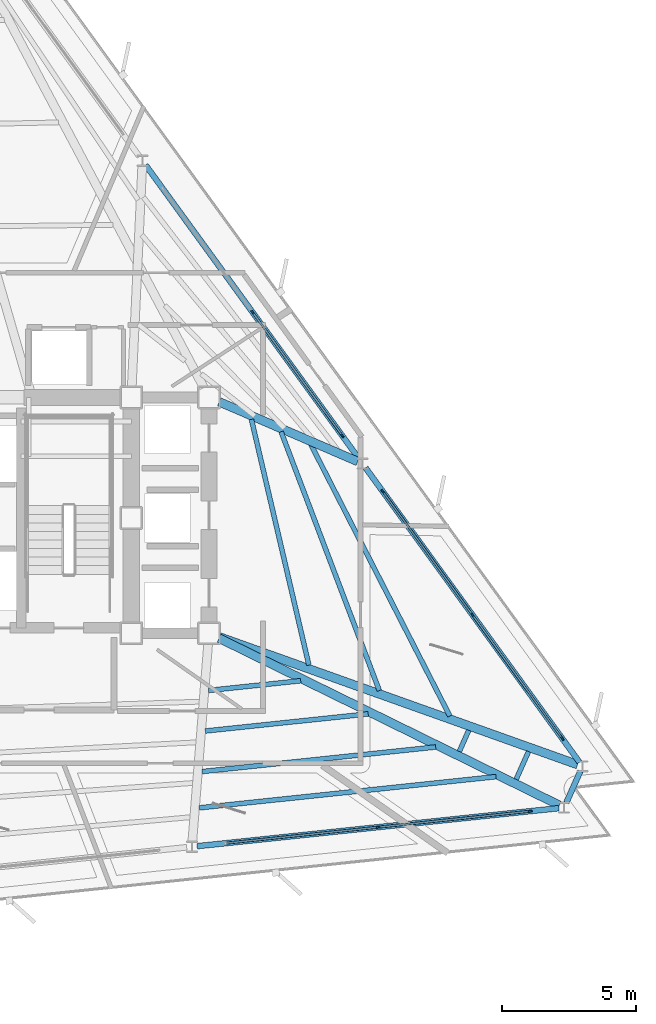
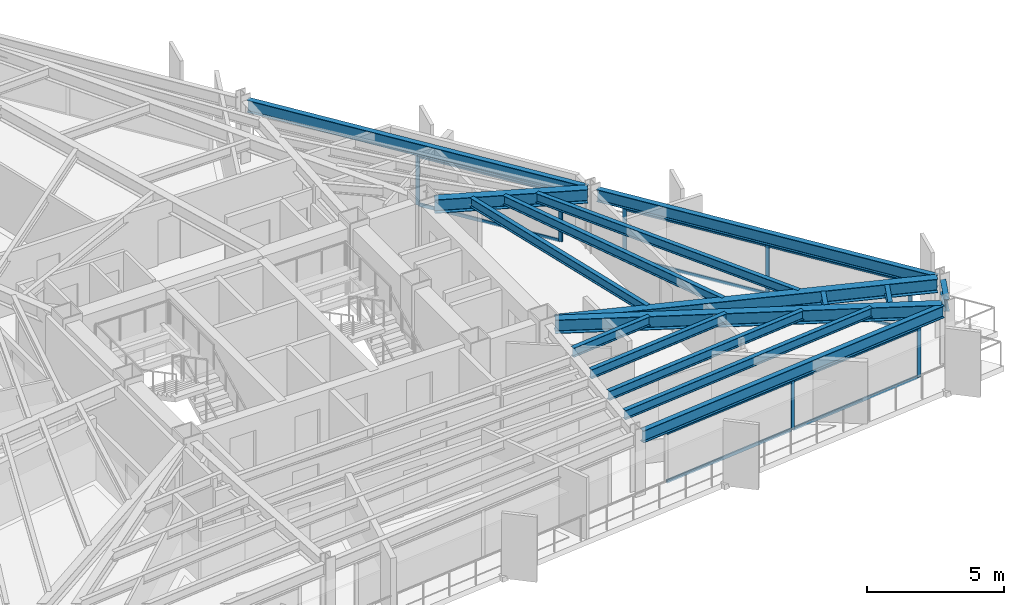
# One storey, part 5 of 12: 17 members, 16 beams, 3 elements without a shape of their own.
"""IFC4 building model written with IfcOpenShell, lengths in metres."""

from ifc_helpers import new_model, si_unit, direction, frame, origin, origin_2d, place, context, subcontext, project, spatial, rectangle, i_section, extrude, material, layer, layer_set, material_profile, profile_set, type_object, element, aggregate, save


model = new_model("IFC4")

# Units and contexts
model_context = context("Model", 3, precision=1e-05, world=origin(), true_north=direction((0.0, 1.0)))
body_context = subcontext(model_context, "Body", "Model", "MODEL_VIEW")
ifc_project = project(units=[si_unit("LENGTHUNIT", "METRE"), si_unit("AREAUNIT", "SQUARE_METRE"), si_unit("VOLUMEUNIT", "CUBIC_METRE"), si_unit("PLANEANGLEUNIT", "RADIAN"), si_unit("MASSUNIT", "GRAM", prefix="KILO")], contexts=[model_context])

# Site, building, storey
site_placement = place(None, origin())
site = spatial("IfcSite", under=ifc_project, at=site_placement, CompositionType="ELEMENT")
building_placement = place(site_placement, origin())
building = spatial("IfcBuilding", under=site, at=building_placement, Name="Rocaltana Carrier Exchange", CompositionType="ELEMENT")
storey_placement = place(building_placement, frame((0.0, 0.0, 116.800048828125)))
storey = spatial("IfcBuildingStorey", under=building, at=storey_placement, Name="L36", CompositionType="ELEMENT", Elevation=116.800048828125)

# Curtain wall, members
ifc_material_1 = material(Name="Aluminium 6063-T6", Category="aluminium")
ifc_layer = layer(ifc_material_1, 0.14990234375)
ifc_layer_set = layer_set([ifc_layer], Name="Aluminium 6063-T6")
curtain_wall_type = type_object("IfcCurtainWallType", Name="Mid-Tower Unitised Curtain Wall CW-03", PredefinedType="NOTDEFINED", material=ifc_layer_set)
curtain_wall_1_placement = place(storey_placement, origin())
curtain_wall_1 = element("IfcCurtainWall", 1, at=curtain_wall_1_placement, inside=storey, type_object=curtain_wall_type, Name="L36 CW-03 Run CW-L36-F1S1", PredefinedType="NOTDEFINED")
ifc_material_2 = material(Name="Aluminium 6063-T6", Category="aluminium")
ifc_material_profile_1 = material_profile(ifc_material_2, rectangle(XDim=0.06005859375, YDim=0.14990234375, at=origin_2d()), Name="AL-60X150")
ifc_profile_set_1 = profile_set([ifc_material_profile_1], Name="Aluminium 6063-T6")
member_type_1 = type_object("IfcMemberType", Name="CW-03 Mullion AL-60X150", PredefinedType="MULLION", material=ifc_profile_set_1)
member_1_placement = place(storey_placement, frame((22.13427734375, -8.23193359375, 0.0), z_axis=(0.0, 0.0, 1.0), x_axis=(-0.809013555195, -0.587789985889, 0.0)))
member_1 = element("IfcMember", 2, at=member_1_placement, type_object=member_type_1, Name="CW-03 mullion 1", PredefinedType="MULLION", context=body_context, shape_type="SweptSolid", body=[
    extrude(rectangle(XDim=0.06005859375, YDim=0.14990234375, at=origin_2d()), origin(), (0.0, 0.0, 1.0), 2.218017578125),
])
member_2_placement = place(storey_placement, frame((18.781982421875, -3.617919921875, 0.0), z_axis=(0.0, 0.0, 1.0), x_axis=(-0.809013555195, -0.587789985889, 0.0)))
member_2 = element("IfcMember", 3, at=member_2_placement, type_object=member_type_1, Name="CW-03 mullion 2", PredefinedType="MULLION", context=body_context, shape_type="SweptSolid", body=[
    extrude(rectangle(XDim=0.06005859375, YDim=0.14990234375, at=origin_2d()), origin(), (0.0, 0.0, 1.0), 2.218017578125),
])
member_3_placement = place(storey_placement, frame((15.429443359375, 0.99609375, 0.0), z_axis=(0.0, 0.0, 1.0), x_axis=(-0.809013555195, -0.587789985889, 0.0)))
member_3 = element("IfcMember", 4, at=member_3_placement, type_object=member_type_1, Name="CW-03 mullion 3", PredefinedType="MULLION", context=body_context, shape_type="SweptSolid", body=[
    extrude(rectangle(XDim=0.06005859375, YDim=0.14990234375, at=origin_2d()), origin(), (0.0, 0.0, 1.0), 2.218017578125),
])

curtain_wall_2_placement = place(storey_placement, origin())
curtain_wall_2 = element("IfcCurtainWall", 5, at=curtain_wall_2_placement, inside=storey, type_object=curtain_wall_type, Name="L36 CW-03 Run CW-L36-F1S2", PredefinedType="NOTDEFINED")
member_4_placement = place(storey_placement, frame((13.9248046875, 3.0673828125, 0.0), z_axis=(0.0, 0.0, 1.0), x_axis=(-0.809013555195, -0.587789985889, 0.0)))
member_4 = element("IfcMember", 6, at=member_4_placement, type_object=member_type_1, Name="CW-03 mullion 1", PredefinedType="MULLION", context=body_context, shape_type="SweptSolid", body=[
    extrude(rectangle(XDim=0.06005859375, YDim=0.14990234375, at=origin_2d()), origin(), (0.0, 0.0, 1.0), 2.218017578125),
])
member_5_placement = place(storey_placement, frame((10.572509765625, 7.681396484375, 0.0), z_axis=(0.0, 0.0, 1.0), x_axis=(-0.809013555195, -0.587789985889, 0.0)))
member_5 = element("IfcMember", 7, at=member_5_placement, type_object=member_type_1, Name="CW-03 mullion 2", PredefinedType="MULLION", context=body_context, shape_type="SweptSolid", body=[
    extrude(rectangle(XDim=0.06005859375, YDim=0.14990234375, at=origin_2d()), origin(), (0.0, 0.0, 1.0), 2.218017578125),
])

curtain_wall_3_placement = place(storey_placement, origin())
curtain_wall_3 = element("IfcCurtainWall", 8, at=curtain_wall_3_placement, inside=storey, type_object=curtain_wall_type, Name="L36 CW-03 Run CW-L36-F3S3", PredefinedType="NOTDEFINED")
member_6_placement = place(storey_placement, frame((15.256103515625, -11.536865234375, 0.0), z_axis=(0.0, 0.0, 1.0), x_axis=(-0.104521806959, 0.994522594952, 0.0)))
member_6 = element("IfcMember", 9, at=member_6_placement, type_object=member_type_1, Name="CW-03 mullion 2", PredefinedType="MULLION", context=body_context, shape_type="SweptSolid", body=[
    extrude(rectangle(XDim=0.06005859375, YDim=0.14990234375, at=origin_2d()), origin(), (0.0, 0.0, 1.0), 2.218017578125),
])
member_7_placement = place(storey_placement, frame((20.92822265625, -10.940673828125, 0.0), z_axis=(0.0, 0.0, 1.0), x_axis=(-0.104521806959, 0.994522594952, 0.0)))
member_7 = element("IfcMember", 10, at=member_7_placement, type_object=member_type_1, Name="CW-03 mullion 3", PredefinedType="MULLION", context=body_context, shape_type="SweptSolid", body=[
    extrude(rectangle(XDim=0.06005859375, YDim=0.14990234375, at=origin_2d()), origin(), (0.0, 0.0, 1.0), 2.218017578125),
])

# Member
ifc_material_3 = material(Name="Aluminium 6063-T6", Category="aluminium")
ifc_material_profile_2 = material_profile(ifc_material_3, rectangle(XDim=0.06005859375, YDim=0.14990234375, at=origin_2d()), Name="AL-60X150")
ifc_profile_set_2 = profile_set([ifc_material_profile_2], Name="Aluminium 6063-T6")
member_type_2 = type_object("IfcMemberType", Name="CW-03 Transom AL-60X150", PredefinedType="USERDEFINED", material=ifc_profile_set_2)
member_8_placement = place(storey_placement, frame((22.11669921875, -8.207763671875, 0.030029296875), z_axis=(-0.587803791035, 0.809003524866, 0.0), x_axis=(-0.809003524866, -0.587803791035, 0.0)))
member_8 = element("IfcMember", 11, at=member_8_placement, type_object=member_type_2, Name="CW-03 transom 1.1", ObjectType="TRANSOM", PredefinedType="USERDEFINED", context=body_context, shape_type="SweptSolid", body=[
    extrude(rectangle(XDim=0.06005859375, YDim=0.14990234375, at=origin_2d()), origin(), (0.0, 0.0, 1.0), 5.643310546875),
])

member_9_placement = place(storey_placement, frame((22.11669921875, -8.207763671875, 2.18798828125), z_axis=(-0.587803791035, 0.809003524866, 0.0), x_axis=(-0.809003524866, -0.587803791035, 0.0)))
member_9 = element("IfcMember", 12, at=member_9_placement, type_object=member_type_2, Name="CW-03 transom 1.2", ObjectType="TRANSOM", PredefinedType="USERDEFINED", context=body_context, shape_type="SweptSolid", body=[
    extrude(rectangle(XDim=0.06005859375, YDim=0.14990234375, at=origin_2d()), origin(), (0.0, 0.0, 1.0), 5.643310546875),
])

member_10_placement = place(storey_placement, frame((18.76416015625, -3.59375, 0.030029296875), z_axis=(-0.587754903167, 0.809039043436, 0.0), x_axis=(-0.809039043436, -0.587754903167, 0.0)))
member_10 = element("IfcMember", 13, at=member_10_placement, type_object=member_type_2, Name="CW-03 transom 2.1", ObjectType="TRANSOM", PredefinedType="USERDEFINED", context=body_context, shape_type="SweptSolid", body=[
    extrude(rectangle(XDim=0.06005859375, YDim=0.14990234375, at=origin_2d()), origin(), (0.0, 0.0, 1.0), 5.643310546875),
])

member_11_placement = place(storey_placement, frame((18.76416015625, -3.59375, 2.18798828125), z_axis=(-0.587754903167, 0.809039043436, 0.0), x_axis=(-0.809039043436, -0.587754903167, 0.0)))
member_11 = element("IfcMember", 14, at=member_11_placement, type_object=member_type_2, Name="CW-03 transom 2.2", ObjectType="TRANSOM", PredefinedType="USERDEFINED", context=body_context, shape_type="SweptSolid", body=[
    extrude(rectangle(XDim=0.06005859375, YDim=0.14990234375, at=origin_2d()), origin(), (0.0, 0.0, 1.0), 5.643310546875),
])

aggregate(curtain_wall_1, [member_1, member_2, member_3, member_8, member_9, member_10, member_11])

member_12_placement = place(storey_placement, frame((13.9072265625, 3.091552734375, 0.030029296875), z_axis=(-0.587803791035, 0.809003524866, 0.0), x_axis=(-0.809003524866, -0.587803791035, 0.0)))
member_12 = element("IfcMember", 15, at=member_12_placement, type_object=member_type_2, Name="CW-03 transom 1.1", ObjectType="TRANSOM", PredefinedType="USERDEFINED", context=body_context, shape_type="SweptSolid", body=[
    extrude(rectangle(XDim=0.06005859375, YDim=0.14990234375, at=origin_2d()), origin(), (0.0, 0.0, 1.0), 5.643310546875),
])

member_13_placement = place(storey_placement, frame((13.9072265625, 3.091552734375, 2.18798828125), z_axis=(-0.587803791035, 0.809003524866, 0.0), x_axis=(-0.809003524866, -0.587803791035, 0.0)))
member_13 = element("IfcMember", 16, at=member_13_placement, type_object=member_type_2, Name="CW-03 transom 1.2", ObjectType="TRANSOM", PredefinedType="USERDEFINED", context=body_context, shape_type="SweptSolid", body=[
    extrude(rectangle(XDim=0.06005859375, YDim=0.14990234375, at=origin_2d()), origin(), (0.0, 0.0, 1.0), 5.643310546875),
])

aggregate(curtain_wall_2, [member_4, member_5, member_12, member_13])

member_14_placement = place(storey_placement, frame((9.614013671875, -12.129638671875, 0.030029296875), z_axis=(0.99452250772, 0.104522636969, 0.0), x_axis=(-0.104522636969, 0.99452250772, 0.0)))
member_14 = element("IfcMember", 17, at=member_14_placement, type_object=member_type_2, Name="CW-03 transom 1.1", ObjectType="TRANSOM", PredefinedType="USERDEFINED", context=body_context, shape_type="SweptSolid", body=[
    extrude(rectangle(XDim=0.06005859375, YDim=0.14990234375, at=origin_2d()), origin(), (0.0, 0.0, 1.0), 5.643310546875),
])

member_15_placement = place(storey_placement, frame((9.614013671875, -12.129638671875, 2.18798828125), z_axis=(0.99452250772, 0.104522636969, 0.0), x_axis=(-0.104522636969, 0.99452250772, 0.0)))
member_15 = element("IfcMember", 18, at=member_15_placement, type_object=member_type_2, Name="CW-03 transom 1.2", ObjectType="TRANSOM", PredefinedType="USERDEFINED", context=body_context, shape_type="SweptSolid", body=[
    extrude(rectangle(XDim=0.06005859375, YDim=0.14990234375, at=origin_2d()), origin(), (0.0, 0.0, 1.0), 5.643310546875),
])

member_16_placement = place(storey_placement, frame((15.285888671875, -11.53369140625, 0.030029296875), z_axis=(0.994522980333, 0.104518140001, 0.0), x_axis=(-0.104518140001, 0.994522980333, 0.0)))
member_16 = element("IfcMember", 19, at=member_16_placement, type_object=member_type_2, Name="CW-03 transom 2.1", ObjectType="TRANSOM", PredefinedType="USERDEFINED", context=body_context, shape_type="SweptSolid", body=[
    extrude(rectangle(XDim=0.06005859375, YDim=0.14990234375, at=origin_2d()), origin(), (0.0, 0.0, 1.0), 5.6435546875),
])

member_17_placement = place(storey_placement, frame((15.285888671875, -11.53369140625, 2.18798828125), z_axis=(0.994522980333, 0.104518140001, 0.0), x_axis=(-0.104518140001, 0.994522980333, 0.0)))
member_17 = element("IfcMember", 20, at=member_17_placement, type_object=member_type_2, Name="CW-03 transom 2.2", ObjectType="TRANSOM", PredefinedType="USERDEFINED", context=body_context, shape_type="SweptSolid", body=[
    extrude(rectangle(XDim=0.06005859375, YDim=0.14990234375, at=origin_2d()), origin(), (0.0, 0.0, 1.0), 5.6435546875),
])

aggregate(curtain_wall_3, [member_6, member_7, member_14, member_15, member_16, member_17])

# Beams
ifc_material_4 = material(Name="Steel S355", Category="steel")
ifc_material_profile_3 = material_profile(ifc_material_4, i_section(OverallWidth=0.179931640625, OverallDepth=0.4130859375, WebThickness=0.009765625, FlangeThickness=0.01611328125, FilletRadius=0.012939453125, at=origin_2d()), Name="W16X50")
ifc_profile_set_3 = profile_set([ifc_material_profile_3], Name="Steel S355")
beam_type_1 = type_object("IfcBeamType", Name="Floor Joist W16X50", PredefinedType="JOIST", material=ifc_profile_set_3)
beam_1_placement = place(storey_placement, frame((12.67724609375, -5.489501953125, 2.58154296875), z_axis=(-0.227766297883, 0.973715827924, 0.0), x_axis=(-0.973715827924, -0.227766297883, 0.0)))
element("IfcBeam", 21, at=beam_1_placement, inside=storey, type_object=beam_type_1, Name="FJ-L36-01-1", PredefinedType="JOIST", context=body_context, shape_type="SweptSolid", body=[
    extrude(i_section(OverallWidth=0.179931640625, OverallDepth=0.4130859375, WebThickness=0.009765625, FlangeThickness=0.01611328125, FilletRadius=0.012939453125, at=origin_2d()), origin(), (0.0, 0.0, 1.0), 9.418701171875),
])
beam_2_placement = place(storey_placement, frame((15.305419921875, -6.439208984375, 2.58154296875), z_axis=(-0.35483732757, 0.934928056571, 0.0), x_axis=(-0.934928056571, -0.35483732757, 0.0)))
element("IfcBeam", 22, at=beam_2_placement, inside=storey, type_object=beam_type_1, Name="FJ-L36-01-2", PredefinedType="JOIST", context=body_context, shape_type="SweptSolid", body=[
    extrude(i_section(OverallWidth=0.179931640625, OverallDepth=0.4130859375, WebThickness=0.009765625, FlangeThickness=0.01611328125, FilletRadius=0.012939453125, at=origin_2d()), origin(), (0.0, 0.0, 1.0), 10.330078125),
])
beam_3_placement = place(storey_placement, frame((17.937744140625, -7.39013671875, 2.58154296875), z_axis=(-0.455649490969, 0.890159278657, 0.0), x_axis=(-0.890159278657, -0.455649490969, 0.0)))
element("IfcBeam", 23, at=beam_3_placement, inside=storey, type_object=beam_type_1, Name="FJ-L36-01-3", PredefinedType="JOIST", context=body_context, shape_type="SweptSolid", body=[
    extrude(i_section(OverallWidth=0.179931640625, OverallDepth=0.4130859375, WebThickness=0.009765625, FlangeThickness=0.01611328125, FilletRadius=0.012939453125, at=origin_2d()), origin(), (0.0, 0.0, 1.0), 11.398681640625),
])
beam_4_placement = place(storey_placement, frame((8.9326171875, -6.434814453125, 2.58154296875), z_axis=(0.994514730504, 0.104596609936, 0.0), x_axis=(-0.104596609936, 0.994514730504, 0.0)))
element("IfcBeam", 24, at=beam_4_placement, inside=storey, type_object=beam_type_1, Name="FJ-L36-11-1", PredefinedType="JOIST", context=body_context, shape_type="SweptSolid", body=[
    extrude(i_section(OverallWidth=0.179931640625, OverallDepth=0.4130859375, WebThickness=0.009765625, FlangeThickness=0.01611328125, FilletRadius=0.012939453125, at=origin_2d()), origin(), (0.0, 0.0, 1.0), 3.459228515625),
])
beam_5_placement = place(storey_placement, frame((8.811279296875, -7.948486328125, 2.58154296875), z_axis=(0.994518139026, 0.104564196304, 0.0), x_axis=(-0.104564196304, 0.994518139026, 0.0)))
element("IfcBeam", 25, at=beam_5_placement, inside=storey, type_object=beam_type_1, Name="FJ-L36-11-2", PredefinedType="JOIST", context=body_context, shape_type="SweptSolid", body=[
    extrude(i_section(OverallWidth=0.179931640625, OverallDepth=0.4130859375, WebThickness=0.009765625, FlangeThickness=0.01611328125, FilletRadius=0.012939453125, at=origin_2d()), origin(), (0.0, 0.0, 1.0), 6.112548828125),
])
beam_6_placement = place(storey_placement, frame((8.68994140625, -9.4619140625, 2.58154296875), z_axis=(0.994522683524, 0.104520964191, 0.0), x_axis=(-0.104520964191, 0.994522683524, 0.0)))
element("IfcBeam", 26, at=beam_6_placement, inside=storey, type_object=beam_type_1, Name="FJ-L36-11-3", PredefinedType="JOIST", context=body_context, shape_type="SweptSolid", body=[
    extrude(i_section(OverallWidth=0.179931640625, OverallDepth=0.4130859375, WebThickness=0.009765625, FlangeThickness=0.01611328125, FilletRadius=0.012939453125, at=origin_2d()), origin(), (0.0, 0.0, 1.0), 8.766357421875),
])
beam_7_placement = place(storey_placement, frame((8.581298828125, -10.81640625, 2.58154296875), z_axis=(0.994521531783, 0.104531922494, 0.0), x_axis=(-0.104531922494, 0.994521531783, 0.0)))
element("IfcBeam", 27, at=beam_7_placement, inside=storey, type_object=beam_type_1, Name="FJ-L36-11-4", PredefinedType="JOIST", context=body_context, shape_type="SweptSolid", body=[
    extrude(i_section(OverallWidth=0.179931640625, OverallDepth=0.4130859375, WebThickness=0.009765625, FlangeThickness=0.01611328125, FilletRadius=0.012939453125, at=origin_2d()), origin(), (0.0, 0.0, 1.0), 11.140625),
])
beam_8_placement = place(storey_placement, frame((18.289306640625, -8.71240234375, 2.58154296875), z_axis=(0.406686773762, 0.913567659261, 0.0), x_axis=(-0.913567659261, 0.406686773762, 0.0)))
element("IfcBeam", 28, at=beam_8_placement, inside=storey, type_object=beam_type_1, Name="FJ-L36-12-3", PredefinedType="JOIST", context=body_context, shape_type="SweptSolid", body=[
    extrude(i_section(OverallWidth=0.179931640625, OverallDepth=0.4130859375, WebThickness=0.009765625, FlangeThickness=0.01611328125, FilletRadius=0.012939453125, at=origin_2d()), origin(), (0.0, 0.0, 1.0), 0.867431640625),
])
beam_9_placement = place(storey_placement, frame((20.409423828125, -9.75341796875, 2.58154296875), z_axis=(0.40683553357, 0.913501422344, 0.0), x_axis=(-0.913501422344, 0.40683553357, 0.0)))
element("IfcBeam", 29, at=beam_9_placement, inside=storey, type_object=beam_type_1, Name="FJ-L36-12-4", PredefinedType="JOIST", context=body_context, shape_type="SweptSolid", body=[
    extrude(i_section(OverallWidth=0.179931640625, OverallDepth=0.4130859375, WebThickness=0.009765625, FlangeThickness=0.01611328125, FilletRadius=0.012939453125, at=origin_2d()), origin(), (0.0, 0.0, 1.0), 1.13720703125),
])
ifc_material_5 = material(Name="Steel S355", Category="steel")
ifc_material_profile_4 = material_profile(ifc_material_5, i_section(OverallWidth=0.323974609375, OverallDepth=0.611083984375, WebThickness=0.0126953125, FlangeThickness=0.01904296875, FilletRadius=0.01611328125, at=origin_2d()), Name="W24X104")
ifc_profile_set_4 = profile_set([ifc_material_profile_4], Name="Steel S355")
beam_type_2 = type_object("IfcBeamType", Name="Radial Girder W24X104", PredefinedType="BEAM", material=ifc_profile_set_4)
beam_10_placement = place(storey_placement, frame((9.3427734375, -4.43994140625, 2.482421875), z_axis=(0.941948523593, -0.335757321441, 0.0), x_axis=(0.335757321441, 0.941948523593, 0.0)))
element("IfcBeam", 30, at=beam_10_placement, inside=storey, type_object=beam_type_2, Name="RG-L36-01", PredefinedType="BEAM", context=body_context, shape_type="SweptSolid", body=[
    extrude(i_section(OverallWidth=0.323974609375, OverallDepth=0.611083984375, WebThickness=0.0126953125, FlangeThickness=0.01904296875, FilletRadius=0.01611328125, at=origin_2d()), origin(), (0.0, 0.0, 1.0), 14.18359375),
])
beam_11_placement = place(storey_placement, frame((9.3330078125, 4.3349609375, 2.482421875), z_axis=(0.918339320376, -0.395794002798, 0.0), x_axis=(0.395794002798, 0.918339320376, 0.0)))
element("IfcBeam", 31, at=beam_11_placement, inside=storey, type_object=beam_type_2, Name="RG-L36-02", PredefinedType="BEAM", context=body_context, shape_type="SweptSolid", body=[
    extrude(i_section(OverallWidth=0.323974609375, OverallDepth=0.611083984375, WebThickness=0.0126953125, FlangeThickness=0.01904296875, FilletRadius=0.01611328125, at=origin_2d()), origin(), (0.0, 0.0, 1.0), 5.624267578125),
])
beam_12_placement = place(storey_placement, frame((9.32421875, -4.48388671875, 2.482421875), z_axis=(0.897623430204, -0.440763176263, 0.0), x_axis=(0.440763176263, 0.897623430204, 0.0)))
element("IfcBeam", 32, at=beam_12_placement, inside=storey, type_object=beam_type_2, Name="RG-L36-12", PredefinedType="BEAM", context=body_context, shape_type="SweptSolid", body=[
    extrude(i_section(OverallWidth=0.323974609375, OverallDepth=0.611083984375, WebThickness=0.0126953125, FlangeThickness=0.01904296875, FilletRadius=0.01611328125, at=origin_2d()), origin(), (0.0, 0.0, 1.0), 14.150634765625),
])
ifc_material_6 = material(Name="Steel S355", Category="steel")
ifc_material_profile_5 = material_profile(ifc_material_6, i_section(OverallWidth=0.2119140625, OverallDepth=0.5439453125, WebThickness=0.01318359375, FlangeThickness=0.021240234375, FilletRadius=0.014892578125, at=origin_2d()), Name="W21X83")
ifc_profile_set_5 = profile_set([ifc_material_profile_5], Name="Steel S355")
beam_type_3 = type_object("IfcBeamType", Name="Spandrel Edge Beam W21X83", PredefinedType="SPANDREL", material=ifc_profile_set_5)
beam_13_placement = place(storey_placement, frame((22.77197265625, -9.10986328125, 2.515869140625), z_axis=(-0.587792057578, 0.809012050002, 0.0), x_axis=(-0.809012050002, -0.587792057578, 0.0)))
element("IfcBeam", 33, at=beam_13_placement, inside=storey, type_object=beam_type_3, Name="SP-L36-01", PredefinedType="SPANDREL", context=body_context, shape_type="SweptSolid", body=[
    extrude(i_section(OverallWidth=0.2119140625, OverallDepth=0.5439453125, WebThickness=0.01318359375, FlangeThickness=0.021240234375, FilletRadius=0.014892578125, at=origin_2d()), origin(), (0.0, 0.0, 1.0), 13.57666015625),
])
beam_14_placement = place(storey_placement, frame((14.5625, 2.189453125, 2.515869140625), z_axis=(-0.587780287875, 0.809020601212, 0.0), x_axis=(-0.809020601212, -0.587780287875, 0.0)))
element("IfcBeam", 34, at=beam_14_placement, inside=storey, type_object=beam_type_3, Name="SP-L36-02", PredefinedType="SPANDREL", context=body_context, shape_type="SweptSolid", body=[
    extrude(i_section(OverallWidth=0.2119140625, OverallDepth=0.5439453125, WebThickness=0.01318359375, FlangeThickness=0.021240234375, FilletRadius=0.014892578125, at=origin_2d()), origin(), (0.0, 0.0, 1.0), 13.576416015625),
])
beam_15_placement = place(storey_placement, frame((8.5048828125, -12.246337890625, 2.515869140625), z_axis=(0.994521698777, 0.104530333689, 0.0), x_axis=(-0.104530333689, 0.994521698777, 0.0)))
element("IfcBeam", 35, at=beam_15_placement, inside=storey, type_object=beam_type_3, Name="SP-L36-11", PredefinedType="SPANDREL", context=body_context, shape_type="SweptSolid", body=[
    extrude(i_section(OverallWidth=0.2119140625, OverallDepth=0.5439453125, WebThickness=0.01318359375, FlangeThickness=0.021240234375, FilletRadius=0.014892578125, at=origin_2d()), origin(), (0.0, 0.0, 1.0), 13.576904296875),
])
beam_16_placement = place(storey_placement, frame((22.280517578125, -10.628662109375, 2.515869140625), z_axis=(0.406873064425, 0.913484706738, 0.0), x_axis=(-0.913484706738, 0.406873064425, 0.0)))
element("IfcBeam", 36, at=beam_16_placement, inside=storey, type_object=beam_type_3, Name="SP-L36-12", PredefinedType="SPANDREL", context=body_context, shape_type="SweptSolid", body=[
    extrude(i_section(OverallWidth=0.2119140625, OverallDepth=0.5439453125, WebThickness=0.01318359375, FlangeThickness=0.021240234375, FilletRadius=0.014892578125, at=origin_2d()), origin(), (0.0, 0.0, 1.0), 1.294921875),
])

save(model, "model.ifc")
